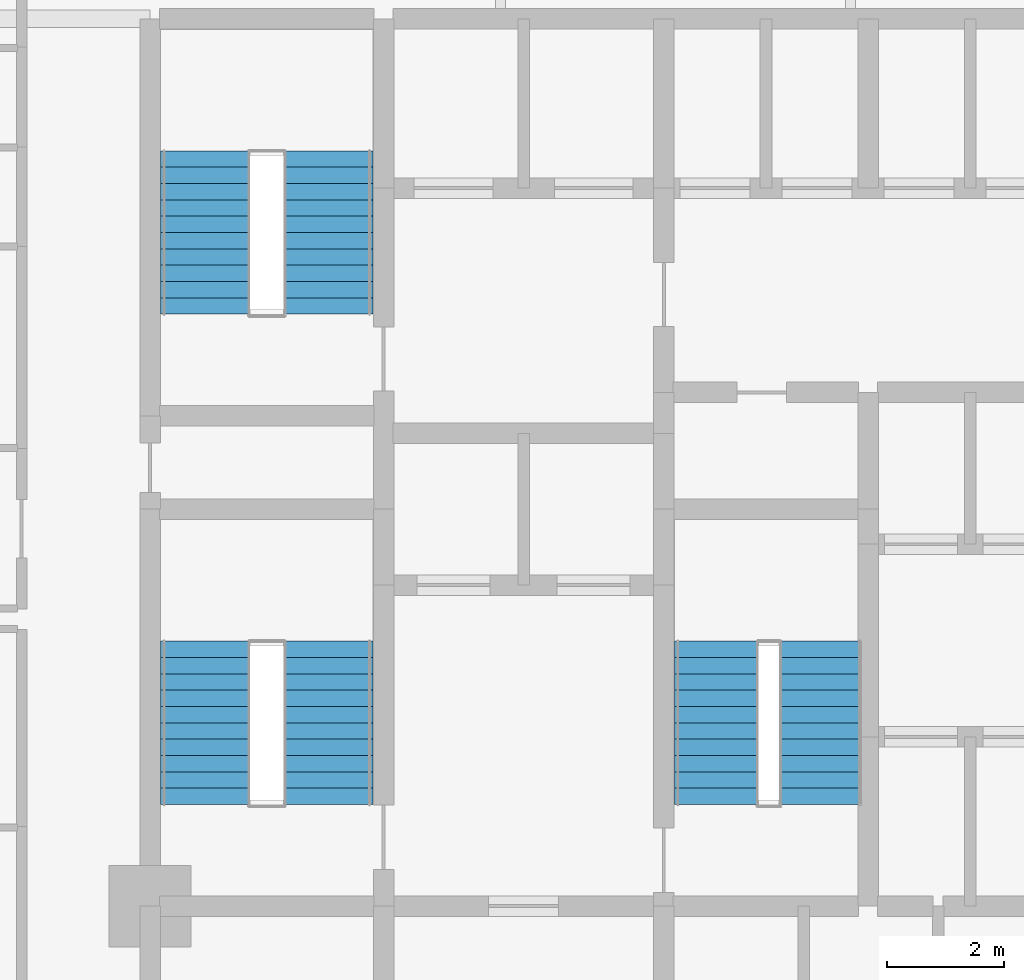
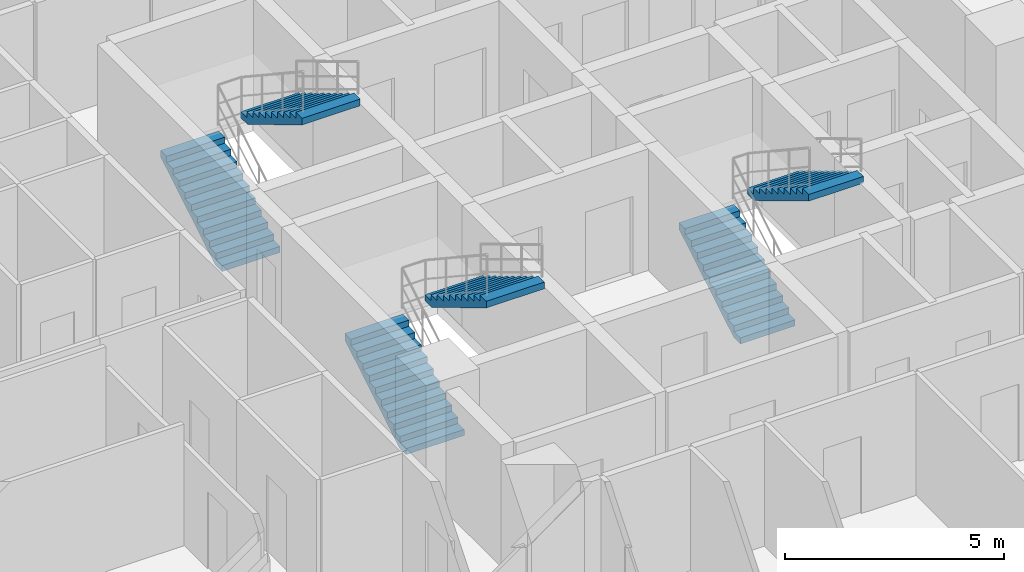
# One storey, part 32 of 33: 6 stair flights, 3 elements without a shape of their own.
"""IFC4 building model written with IfcOpenShell, lengths in metres."""

from ifc_helpers import new_model, si_unit, direction, frame, origin, place, context, subcontext, project, spatial, polyline, outline, extrude, material, type_object, element, aggregate, save


model = new_model("IFC4")

# Units and contexts
model_context = context("Model", 3, precision=1e-05, world=origin(), true_north=direction((0.0, 1.0)))
body_context = subcontext(model_context, "Body", "Model", "MODEL_VIEW")
ifc_project = project(units=[si_unit("LENGTHUNIT", "METRE"), si_unit("AREAUNIT", "SQUARE_METRE"), si_unit("VOLUMEUNIT", "CUBIC_METRE"), si_unit("PLANEANGLEUNIT", "RADIAN"), si_unit("MASSUNIT", "GRAM", prefix="KILO")], contexts=[model_context])

# Site, building, storey
site_placement = place(None, origin())
site = spatial("IfcSite", under=ifc_project, at=site_placement, CompositionType="ELEMENT")
building_placement = place(site_placement, origin())
building = spatial("IfcBuilding", under=site, at=building_placement, Name="Keshet Zoharim Tower", CompositionType="ELEMENT")
storey_placement = place(building_placement, frame((0.0, 0.0, 49.89990234375)))
storey = spatial("IfcBuildingStorey", under=building, at=storey_placement, Name="L11", CompositionType="ELEMENT", Elevation=49.89990234375)

# Stair, stair flights
ifc_material = material(Name="Concrete C50/60", Category="concrete")
stair_type = type_object("IfcStairType", Name="STR-EXIT-135", PredefinedType="HALF_TURN_STAIR", material=ifc_material)
stair_1_placement = place(storey_placement, origin())
stair_1 = element("IfcStair", 1, at=stair_1_placement, inside=storey, type_object=stair_type, Name="L11 Enclosed Exit Stair ST-01", PredefinedType="HALF_TURN_STAIR")
stair_flight_type_1 = type_object("IfcStairFlightType", Name="FLT-PRE-135", PredefinedType="STRAIGHT", material=ifc_material)
stair_flight_1_placement = place(storey_placement, frame((15.945068359375, 24.43994140625, 0.0), z_axis=(0.0, 0.0, 1.0), x_axis=(0.0, 1.0, 0.0)))
stair_flight_1 = element("IfcStairFlight", 2, at=stair_flight_1_placement, type_object=stair_flight_type_1, Name="ST-01 flight 1", NumberOfRisers=11, NumberOfTreads=10, PredefinedType="STRAIGHT", RiserHeight=0.168182, TreadLength=0.28, context=body_context, shape_type="SweptSolid", body=[
    extrude(outline(polyline([(0.0, 0.0), (0.0, 0.168212890625), (0.280029296875, 0.168212890625), (0.280029296875, 0.33642578125), (0.56005859375, 0.33642578125), (0.56005859375, 0.504638671875), (0.840087890625, 0.504638671875), (0.840087890625, 0.672607421875), (1.1201171875, 0.672607421875), (1.1201171875, 0.8408203125), (1.39990234375, 0.8408203125), (1.39990234375, 1.009033203125), (1.679931640625, 1.009033203125), (1.679931640625, 1.17724609375), (1.9599609375, 1.17724609375), (1.9599609375, 1.345458984375), (2.239990234375, 1.345458984375), (2.239990234375, 1.513671875), (2.52001953125, 1.513671875), (2.52001953125, 1.681884765625), (2.800048828125, 1.681884765625), (2.800048828125, 1.85009765625), (2.800048828125, 1.495361328125), (0.310546875, 0.0), (0.0, 0.0)])), frame((0.0, 0.76513671875, 0.0), z_axis=(0.0, -1.0, 0.0), x_axis=(1.0, 0.0, 0.0)), (0.0, 0.0, 1.0), 1.530029296875),
])
stair_flight_2_placement = place(storey_placement, frame((18.054931640625, 27.239990234375, 1.85009765625), z_axis=(0.0, 0.0, 1.0), x_axis=(0.0, -1.0, 0.0)))
stair_flight_2 = element("IfcStairFlight", 3, at=stair_flight_2_placement, type_object=stair_flight_type_1, Name="ST-01 flight 2", NumberOfRisers=11, NumberOfTreads=10, PredefinedType="STRAIGHT", RiserHeight=0.168182, TreadLength=0.28, context=body_context, shape_type="SweptSolid", body=[
    extrude(outline(polyline([(0.0, 0.0), (0.0, 0.168212890625), (0.280029296875, 0.168212890625), (0.280029296875, 0.33642578125), (0.56005859375, 0.33642578125), (0.56005859375, 0.504638671875), (0.840087890625, 0.504638671875), (0.840087890625, 0.672607421875), (1.1201171875, 0.672607421875), (1.1201171875, 0.8408203125), (1.39990234375, 0.8408203125), (1.39990234375, 1.009033203125), (1.679931640625, 1.009033203125), (1.679931640625, 1.17724609375), (1.9599609375, 1.17724609375), (1.9599609375, 1.345458984375), (2.239990234375, 1.345458984375), (2.239990234375, 1.513671875), (2.52001953125, 1.513671875), (2.52001953125, 1.681884765625), (2.800048828125, 1.681884765625), (2.800048828125, 1.85009765625), (2.800048828125, 1.495361328125), (0.310546875, 0.0), (0.0, 0.0)])), frame((0.0, 0.76513671875, 0.0), z_axis=(0.0, -1.0, 0.0), x_axis=(1.0, 0.0, 0.0)), (0.0, 0.0, 1.0), 1.530029296875),
])
aggregate(stair_1, [stair_flight_1, stair_flight_2])

stair_2_placement = place(storey_placement, origin())
stair_2 = element("IfcStair", 4, at=stair_2_placement, inside=storey, type_object=stair_type, Name="L11 Enclosed Exit Stair ST-02", PredefinedType="HALF_TURN_STAIR")
stair_flight_3_placement = place(storey_placement, frame((15.945068359375, 32.840087890625, 0.0), z_axis=(0.0, 0.0, 1.0), x_axis=(0.0, 1.0, 0.0)))
stair_flight_3 = element("IfcStairFlight", 5, at=stair_flight_3_placement, type_object=stair_flight_type_1, Name="ST-02 flight 1", NumberOfRisers=11, NumberOfTreads=10, PredefinedType="STRAIGHT", RiserHeight=0.168182, TreadLength=0.28, context=body_context, shape_type="SweptSolid", body=[
    extrude(outline(polyline([(0.0, 0.0), (0.0, 0.168212890625), (0.280029296875, 0.168212890625), (0.280029296875, 0.33642578125), (0.56005859375, 0.33642578125), (0.56005859375, 0.504638671875), (0.840087890625, 0.504638671875), (0.840087890625, 0.672607421875), (1.1201171875, 0.672607421875), (1.1201171875, 0.8408203125), (1.39990234375, 0.8408203125), (1.39990234375, 1.009033203125), (1.679931640625, 1.009033203125), (1.679931640625, 1.17724609375), (1.9599609375, 1.17724609375), (1.9599609375, 1.345458984375), (2.239990234375, 1.345458984375), (2.239990234375, 1.513671875), (2.52001953125, 1.513671875), (2.52001953125, 1.681884765625), (2.800048828125, 1.681884765625), (2.800048828125, 1.85009765625), (2.800048828125, 1.495361328125), (0.310546875, 0.0), (0.0, 0.0)])), frame((0.0, 0.76513671875, 0.0), z_axis=(0.0, -1.0, 0.0), x_axis=(1.0, 0.0, 0.0)), (0.0, 0.0, 1.0), 1.530029296875),
])
stair_flight_4_placement = place(storey_placement, frame((18.054931640625, 35.639892578125, 1.85009765625), z_axis=(0.0, 0.0, 1.0), x_axis=(0.0, -1.0, 0.0)))
stair_flight_4 = element("IfcStairFlight", 6, at=stair_flight_4_placement, type_object=stair_flight_type_1, Name="ST-02 flight 2", NumberOfRisers=11, NumberOfTreads=10, PredefinedType="STRAIGHT", RiserHeight=0.168182, TreadLength=0.28, context=body_context, shape_type="SweptSolid", body=[
    extrude(outline(polyline([(0.0, 0.0), (0.0, 0.168212890625), (0.280029296875, 0.168212890625), (0.280029296875, 0.33642578125), (0.56005859375, 0.33642578125), (0.56005859375, 0.504638671875), (0.840087890625, 0.504638671875), (0.840087890625, 0.672607421875), (1.1201171875, 0.672607421875), (1.1201171875, 0.8408203125), (1.39990234375, 0.8408203125), (1.39990234375, 1.009033203125), (1.679931640625, 1.009033203125), (1.679931640625, 1.17724609375), (1.9599609375, 1.17724609375), (1.9599609375, 1.345458984375), (2.239990234375, 1.345458984375), (2.239990234375, 1.513671875), (2.52001953125, 1.513671875), (2.52001953125, 1.681884765625), (2.800048828125, 1.681884765625), (2.800048828125, 1.85009765625), (2.800048828125, 1.495361328125), (0.310546875, 0.0), (0.0, 0.0)])), frame((0.0, 0.76513671875, 0.0), z_axis=(0.0, -1.0, 0.0), x_axis=(1.0, 0.0, 0.0)), (0.0, 0.0, 1.0), 1.530029296875),
])
aggregate(stair_2, [stair_flight_3, stair_flight_4])

stair_3_placement = place(storey_placement, origin())
stair_3 = element("IfcStair", 7, at=stair_3_placement, inside=storey, type_object=stair_type, Name="L11 Enclosed Exit Stair ST-03", PredefinedType="HALF_TURN_STAIR")
stair_flight_type_2 = type_object("IfcStairFlightType", Name="FLT-PRE-144", PredefinedType="STRAIGHT", material=ifc_material)
stair_flight_5_placement = place(storey_placement, frame((24.699951171875, 24.43994140625, 0.0), z_axis=(0.0, 0.0, 1.0), x_axis=(0.0, 1.0, 0.0)))
stair_flight_5 = element("IfcStairFlight", 8, at=stair_flight_5_placement, type_object=stair_flight_type_2, Name="ST-03 flight 1", NumberOfRisers=11, NumberOfTreads=10, PredefinedType="STRAIGHT", RiserHeight=0.168182, TreadLength=0.28, context=body_context, shape_type="SweptSolid", body=[
    extrude(outline(polyline([(0.0, 0.0), (0.0, 0.168212890625), (0.280029296875, 0.168212890625), (0.280029296875, 0.33642578125), (0.56005859375, 0.33642578125), (0.56005859375, 0.504638671875), (0.840087890625, 0.504638671875), (0.840087890625, 0.672607421875), (1.1201171875, 0.672607421875), (1.1201171875, 0.8408203125), (1.39990234375, 0.8408203125), (1.39990234375, 1.009033203125), (1.679931640625, 1.009033203125), (1.679931640625, 1.17724609375), (1.9599609375, 1.17724609375), (1.9599609375, 1.345458984375), (2.239990234375, 1.345458984375), (2.239990234375, 1.513671875), (2.52001953125, 1.513671875), (2.52001953125, 1.681884765625), (2.800048828125, 1.681884765625), (2.800048828125, 1.85009765625), (2.800048828125, 1.495361328125), (0.310546875, 0.0), (0.0, 0.0)])), frame((0.0, 0.719970703125, 0.0), z_axis=(0.0, -1.0, 0.0), x_axis=(1.0, 0.0, 0.0)), (0.0, 0.0, 1.0), 1.43994140625),
])
stair_flight_6_placement = place(storey_placement, frame((26.5, 27.239990234375, 1.85009765625), z_axis=(0.0, 0.0, 1.0), x_axis=(0.0, -1.0, 0.0)))
stair_flight_6 = element("IfcStairFlight", 9, at=stair_flight_6_placement, type_object=stair_flight_type_2, Name="ST-03 flight 2", NumberOfRisers=11, NumberOfTreads=10, PredefinedType="STRAIGHT", RiserHeight=0.168182, TreadLength=0.28, context=body_context, shape_type="SweptSolid", body=[
    extrude(outline(polyline([(0.0, 0.0), (0.0, 0.168212890625), (0.280029296875, 0.168212890625), (0.280029296875, 0.33642578125), (0.56005859375, 0.33642578125), (0.56005859375, 0.504638671875), (0.840087890625, 0.504638671875), (0.840087890625, 0.672607421875), (1.1201171875, 0.672607421875), (1.1201171875, 0.8408203125), (1.39990234375, 0.8408203125), (1.39990234375, 1.009033203125), (1.679931640625, 1.009033203125), (1.679931640625, 1.17724609375), (1.9599609375, 1.17724609375), (1.9599609375, 1.345458984375), (2.239990234375, 1.345458984375), (2.239990234375, 1.513671875), (2.52001953125, 1.513671875), (2.52001953125, 1.681884765625), (2.800048828125, 1.681884765625), (2.800048828125, 1.85009765625), (2.800048828125, 1.495361328125), (0.310546875, 0.0), (0.0, 0.0)])), frame((0.0, 0.719970703125, 0.0), z_axis=(0.0, -1.0, 0.0), x_axis=(1.0, 0.0, 0.0)), (0.0, 0.0, 1.0), 1.43994140625),
])
aggregate(stair_3, [stair_flight_5, stair_flight_6])

save(model, "model.ifc")
